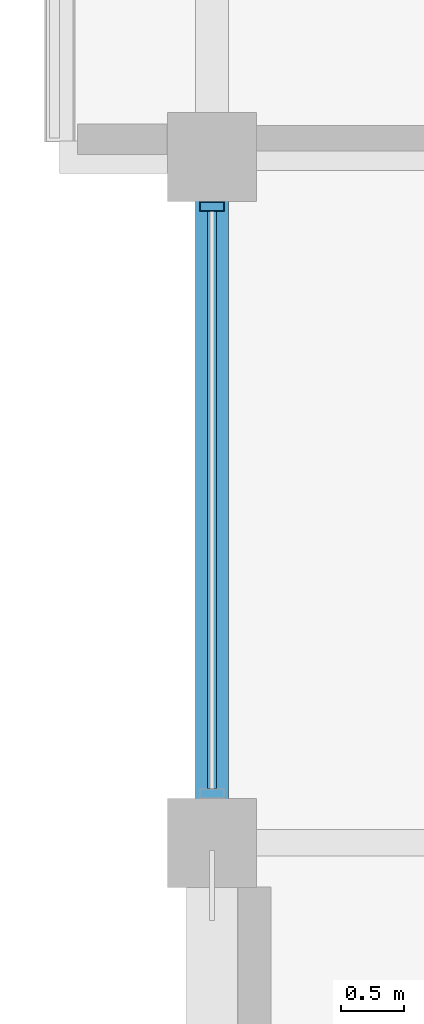
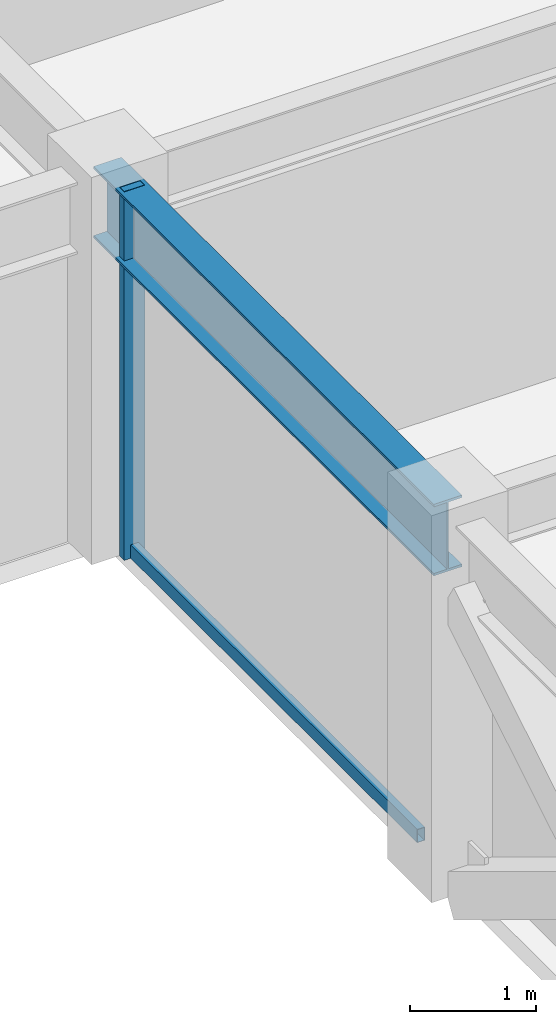
# One storey, part 3 of 31: 2 members, 1 beam, 1 element without a shape of its own.
"""IFC4 building model written with IfcOpenShell, lengths in metres."""

import ifcopenshell
import ifcopenshell.guid

model = None  # the IFC model being written
_history = None  # IfcOwnerHistory: only IFC2X3 demands one
_inside = {}  # id of a spatial element -> (the spatial element, [elements in it])
_under = {}  # id of a project, library or spatial element -> (it, [spatial elements below it])
_declared = {}  # id of a project -> (the project, [libraries it declares])
_typed = {}  # id of a type object -> (the type object, [elements of that type])
_made_of = {}  # id of a material, layer set ... -> (it, [elements and type objects made of it])


def new_model(schema):
    """Start an empty IFC model of exactly this schema.

    Asked for "IFC4X3", IfcOpenShell would pick the latest addendum, in which some entities
    have other attributes; the version numbers below select the first issue.
    IFC2X3 requires an IfcOwnerHistory on every rooted entity: one is made here for all.
    """
    global model, _history
    if schema == "IFC4X3":
        model = ifcopenshell.file(schema_version=(4, 3, 0, 0))
    else:
        model = ifcopenshell.file(schema=schema)
    _inside.clear()
    _under.clear()
    _declared.clear()
    _typed.clear()
    _made_of.clear()
    _history = None
    if model.schema == "IFC2X3":
        org = make("IfcOrganization", Name="unknown")
        user = make(
            "IfcPersonAndOrganization",
            ThePerson=make("IfcPerson", FamilyName="unknown"),
            TheOrganization=org,
        )
        app = make(
            "IfcApplication",
            ApplicationDeveloper=org,
            Version="unknown",
            ApplicationFullName="unknown",
            ApplicationIdentifier="unknown",
        )
        _history = make(
            "IfcOwnerHistory",
            OwningUser=user,
            OwningApplication=app,
            ChangeAction="ADDED",
            CreationDate=0,
        )
    return model


def make(cls, **values):
    """One entity of the class cls with the attributes given. An attribute that is None is left unset."""
    return model.create_entity(
        cls, **{name: value for name, value in values.items() if value is not None}
    )


def rooted(cls, **values):
    """An entity with a GlobalId (a new one), such as an element, a storey or a relation."""
    return make(cls, GlobalId=ifcopenshell.guid.new(), OwnerHistory=_history, **values)


def si_unit(unit_type, name, prefix=None):
    """IfcSIUnit, for example si_unit("LENGTHUNIT", "METRE", prefix="MILLI")."""
    return make("IfcSIUnit", UnitType=unit_type, Prefix=prefix, Name=name)


def assignment(units):
    """IfcUnitAssignment: the units of a project."""
    return None if units is None else make("IfcUnitAssignment", Units=units)


def point(xyz):
    """IfcCartesianPoint."""
    return None if xyz is None else make("IfcCartesianPoint", Coordinates=xyz)


def direction(xyz):
    """IfcDirection."""
    return None if xyz is None else make("IfcDirection", DirectionRatios=xyz)


def frame(location, z_axis=None, x_axis=None):
    """IfcAxis2Placement3D, a coordinate frame: its origin and axes. An axis left out is left unset."""
    return make(
        "IfcAxis2Placement3D",
        Location=point(location),
        Axis=direction(z_axis),
        RefDirection=direction(x_axis),
    )


def frame_2d(location, x_axis=None):
    """IfcAxis2Placement2D, a coordinate frame in the plane: its origin and x axis."""
    return make(
        "IfcAxis2Placement2D", Location=point(location), RefDirection=direction(x_axis)
    )


def origin():
    """The frame at (0, 0, 0) with its axes left unset."""
    return frame((0.0, 0.0, 0.0))


def origin_2d():
    """The frame at (0, 0) in the plane with its x axis left unset."""
    return frame_2d((0.0, 0.0))


def place(relative_to, where):
    """IfcLocalPlacement: puts the frame where relative to a parent placement (None: the world)."""
    return make(
        "IfcLocalPlacement", PlacementRelTo=relative_to, RelativePlacement=where
    )


def context(
    kind, dimensions, precision=None, world=None, true_north=None, identifier=None
):
    """IfcGeometricRepresentationContext, for example the 3D "Model" context."""
    return make(
        "IfcGeometricRepresentationContext",
        ContextIdentifier=identifier,
        ContextType=kind,
        CoordinateSpaceDimension=dimensions,
        Precision=precision,
        WorldCoordinateSystem=world,
        TrueNorth=true_north,
    )


def subcontext(parent, identifier, kind, view, scale=None):
    """IfcGeometricRepresentationSubContext, for example "Body" below "Model"."""
    return make(
        "IfcGeometricRepresentationSubContext",
        ContextIdentifier=identifier,
        ContextType=kind,
        ParentContext=parent,
        TargetScale=scale,
        TargetView=view,
    )


def project(units=None, contexts=None):
    """IfcProject with its units and contexts."""
    return rooted(
        "IfcProject",
        Name="project",
        RepresentationContexts=contexts,
        UnitsInContext=assignment(units),
    )


def spatial(cls, under=None, at=None, **own):
    """A site, building, storey or space (cls), placed at a placement, below another one or the project."""
    s = rooted(cls, ObjectPlacement=at, **own)
    if under is not None:
        _under.setdefault(under.id(), (under, []))[1].append(s)
    return s


def profile(cls, at=None, kind="AREA", **sizes):
    """A parametric profile (cls). Its sizes go by their IFC names, for example OverallWidth=200.0."""
    return make(cls, ProfileType=kind, Position=at, **sizes)


def hollow_rectangle(**sizes):
    """IfcRectangleHollowProfileDef."""
    return profile("IfcRectangleHollowProfileDef", **sizes)


def i_section(**sizes):
    """IfcIShapeProfileDef."""
    return profile("IfcIShapeProfileDef", **sizes)


def extrude(swept, where, along, depth):
    """IfcExtrudedAreaSolid: the profile swept, set in the frame where, extruded along a direction by depth."""
    return make(
        "IfcExtrudedAreaSolid",
        SweptArea=swept,
        Position=where,
        ExtrudedDirection=direction(along),
        Depth=depth,
    )


def shape(context_of_items, identifier, shape_type, items):
    """IfcShapeRepresentation: the items that make up one representation, for example the "Body"."""
    return make(
        "IfcShapeRepresentation",
        ContextOfItems=context_of_items,
        RepresentationIdentifier=identifier,
        RepresentationType=shape_type,
        Items=items,
    )


def material(Name=None, Category=None):
    """IfcMaterial."""
    return make("IfcMaterial", Name=Name, Category=Category)


def layer(
    of_material, thickness, ventilated=None, Name=None, Category=None, Priority=None
):
    """IfcMaterialLayer: one layer of a wall or slab, of a material (None: an air gap)."""
    return make(
        "IfcMaterialLayer",
        Material=of_material,
        LayerThickness=thickness,
        IsVentilated=ventilated,
        Name=Name,
        Category=Category,
        Priority=Priority,
    )


def layer_set(layers, Name=None):
    """IfcMaterialLayerSet."""
    return make("IfcMaterialLayerSet", MaterialLayers=layers, LayerSetName=Name)


def material_profile(
    of_material, cross_section, Name=None, Category=None, Priority=None
):
    """IfcMaterialProfile: a cross section and its material."""
    return make(
        "IfcMaterialProfile",
        Name=Name,
        Material=of_material,
        Profile=cross_section,
        Priority=Priority,
        Category=Category,
    )


def profile_set(profiles, Name=None, composite=None):
    """IfcMaterialProfileSet."""
    return make(
        "IfcMaterialProfileSet",
        Name=Name,
        MaterialProfiles=profiles,
        CompositeProfile=composite,
    )


def made_of(thing, what):
    """Note that an element or type object is made of a material, layer set ...; save() writes the relation."""
    if what is not None:
        _made_of.setdefault(what.id(), (what, []))[1].append(thing)
    return thing


def type_object(cls, material=None, **own):
    """A type object (cls), such as IfcWallType, which elements share."""
    return made_of(rooted(cls, **own), material)


def element(
    cls,
    number,
    at=None,
    inside=None,
    cuts=None,
    type_object=None,
    material=None,
    context=None,
    identifier="Body",
    shape_type=None,
    held_by="IfcProductDefinitionShape",
    body=None,
    shapes=None,
    **own,
):
    """One element of the class cls, such as IfcWall. Its Tag is "e" and its number.

    at: its placement. inside: the storey or other place that contains it. cuts: it is an
    opening in that element (IfcRelVoidsElement). A single representation is given by context,
    identifier, shape_type and body (its items); several are given by shapes. held_by: the class
    of the entity that holds the representations. save() writes the other relations.
    """
    e = rooted(cls, Tag="e%d" % number, ObjectPlacement=at, **own)
    if body is not None:
        shapes = [shape(context, identifier, shape_type, body)]
    if shapes is not None:
        e.Representation = make(held_by, Representations=shapes)
    if inside is not None:
        _inside.setdefault(inside.id(), (inside, []))[1].append(e)
    if cuts is not None:
        rooted(
            "IfcRelVoidsElement", RelatingBuildingElement=cuts, RelatedOpeningElement=e
        )
    if type_object is not None:
        _typed.setdefault(type_object.id(), (type_object, []))[1].append(e)
    return made_of(e, material)


def aggregate(whole, parts):
    """IfcRelAggregates: a whole, such as a stair, and the parts it consists of."""
    return rooted("IfcRelAggregates", RelatingObject=whole, RelatedObjects=parts)


def save(model, path):
    """Write the relations noted so far, then the file.

    IfcRelAggregates (storeys below a building ...), IfcRelContainedInSpatialStructure (elements
    in a storey), IfcRelDefinesByType, IfcRelAssociatesMaterial and IfcRelDeclares: one each for
    every whole, place, type object, material and project.
    """
    for whole, parts in _under.values():
        aggregate(whole, parts)
    for where, things in _inside.values():
        rooted(
            "IfcRelContainedInSpatialStructure",
            RelatedElements=things,
            RelatingStructure=where,
        )
    for kind, things in _typed.values():
        rooted("IfcRelDefinesByType", RelatedObjects=things, RelatingType=kind)
    for what, things in _made_of.values():
        rooted("IfcRelAssociatesMaterial", RelatedObjects=things, RelatingMaterial=what)
    for by, libraries in _declared.values():
        rooted("IfcRelDeclares", RelatingContext=by, RelatedDefinitions=libraries)
    model.write(path)


model = new_model("IFC4")

# Units and contexts
model_context = context("Model", 3, precision=1e-05, world=origin(), true_north=direction((0.0, 1.0)))
body_context = subcontext(model_context, "Body", "Model", "MODEL_VIEW")
ifc_project = project(units=[si_unit("LENGTHUNIT", "METRE"), si_unit("AREAUNIT", "SQUARE_METRE"), si_unit("VOLUMEUNIT", "CUBIC_METRE"), si_unit("PLANEANGLEUNIT", "RADIAN"), si_unit("MASSUNIT", "GRAM", prefix="KILO")], contexts=[model_context])

# Site, building, storey
site_placement = place(None, origin())
site = spatial("IfcSite", under=ifc_project, at=site_placement, CompositionType="ELEMENT")
building_placement = place(site_placement, origin())
building = spatial("IfcBuilding", under=site, at=building_placement, Name="Surkhivell Harbour Commons", CompositionType="ELEMENT")
storey_placement = place(building_placement, frame((0.0, 0.0, 270.0)))
storey = spatial("IfcBuildingStorey", under=building, at=storey_placement, Name="L70", CompositionType="ELEMENT", Elevation=270.0)

# Beam
ifc_material_1 = material(Name="Steel S355", Category="steel")
ifc_material_profile_1 = material_profile(ifc_material_1, i_section(OverallWidth=0.256103515625, OverallDepth=0.693115234375, WebThickness=0.014404296875, FlangeThickness=0.023681640625, at=origin_2d()), Name="UB686x254x170")
ifc_profile_set_1 = profile_set([ifc_material_profile_1], Name="Steel S355")
beam_type = type_object("IfcBeamType", Name="BM-SPN-686", PredefinedType="SPANDREL", material=ifc_profile_set_1)
beam_placement = place(storey_placement, frame((-27.0, -10.800048828125, 3.223388671875), z_axis=(0.0, 1.0, 0.0), x_axis=(-1.0, 0.0, 0.0)))
element("IfcBeam", 1, at=beam_placement, inside=storey, type_object=beam_type, Name="L70 Tube Spandrel (-27.0,-10.8)", PredefinedType="SPANDREL", context=body_context, shape_type="SweptSolid", body=[
    extrude(i_section(OverallWidth=0.256103515625, OverallDepth=0.693115234375, WebThickness=0.014404296875, FlangeThickness=0.023681640625, at=origin_2d()), origin(), (0.0, 0.0, 1.0), 5.400146484375),
])

# Curtain wall, members
ifc_material_2 = material(Name="Anodised pale-metal aluminium and insulated glazing", Category="aluminium")
ifc_layer = layer(ifc_material_2, 0.175048828125)
ifc_layer_set = layer_set([ifc_layer], Name="Anodised pale-metal aluminium and insulated glazing")
curtain_wall_type = type_object("IfcCurtainWallType", Name="CW-SYS-Z4", PredefinedType="NOTDEFINED", material=ifc_layer_set)
curtain_wall_placement = place(storey_placement, origin())
curtain_wall = element("IfcCurtainWall", 2, at=curtain_wall_placement, inside=storey, type_object=curtain_wall_type, Name="L70 Curtain Wall CW-L70-E12R1S1", PredefinedType="NOTDEFINED")
ifc_material_3 = material(Name="Anodised pale-metal aluminium alloy 6063-T6", Category="aluminium")
ifc_material_profile_2 = material_profile(ifc_material_3, hollow_rectangle(XDim=0.074951171875, YDim=0.18994140625, WallThickness=0.00390625, at=origin_2d()), Name="ALU-MULL-75x190")
ifc_profile_set_2 = profile_set([ifc_material_profile_2], Name="Anodised pale-metal aluminium alloy 6063-T6")
member_type_1 = type_object("IfcMemberType", Name="CWM-190", PredefinedType="MULLION", material=ifc_profile_set_2)
member_1_placement = place(storey_placement, frame((-27.0, -5.78955078125, 0.0), z_axis=(0.0, 0.0, 1.0), x_axis=(0.0, 1.0, 0.0)))
member_1 = element("IfcMember", 3, at=member_1_placement, type_object=member_type_1, Name="CW-Z4 mullion 2", PredefinedType="MULLION", context=body_context, shape_type="SweptSolid", body=[
    extrude(hollow_rectangle(XDim=0.074951171875, YDim=0.18994140625, WallThickness=0.00390625, at=origin_2d()), origin(), (0.0, 0.0, 1.0), 3.570068359375),
])
ifc_material_4 = material(Name="Champagne anodised aluminium alloy 6063-T6", Category="aluminium")
ifc_material_profile_3 = material_profile(ifc_material_4, hollow_rectangle(XDim=0.070068359375, YDim=0.1298828125, WallThickness=0.00341796875, at=origin_2d()), Name="ALU-TRAN-70x130")
ifc_profile_set_3 = profile_set([ifc_material_profile_3], Name="Champagne anodised aluminium alloy 6063-T6")
member_type_2 = type_object("IfcMemberType", Name="CWT-130", PredefinedType="USERDEFINED", material=ifc_profile_set_3)
member_2_placement = place(storey_placement, frame((-27.0, -10.373046875, 0.06494140625), z_axis=(0.0, 1.0, 0.0), x_axis=(-1.0, 0.0, 0.0)))
member_2 = element("IfcMember", 4, at=member_2_placement, type_object=member_type_2, Name="CW-Z4 transom 1.1", ObjectType="TRANSOM", PredefinedType="USERDEFINED", context=body_context, shape_type="SweptSolid", body=[
    extrude(hollow_rectangle(XDim=0.070068359375, YDim=0.1298828125, WallThickness=0.00341796875, at=origin_2d()), origin(), (0.0, 0.0, 1.0), 4.546142578125),
])
aggregate(curtain_wall, [member_1, member_2])

save(model, "model.ifc")
